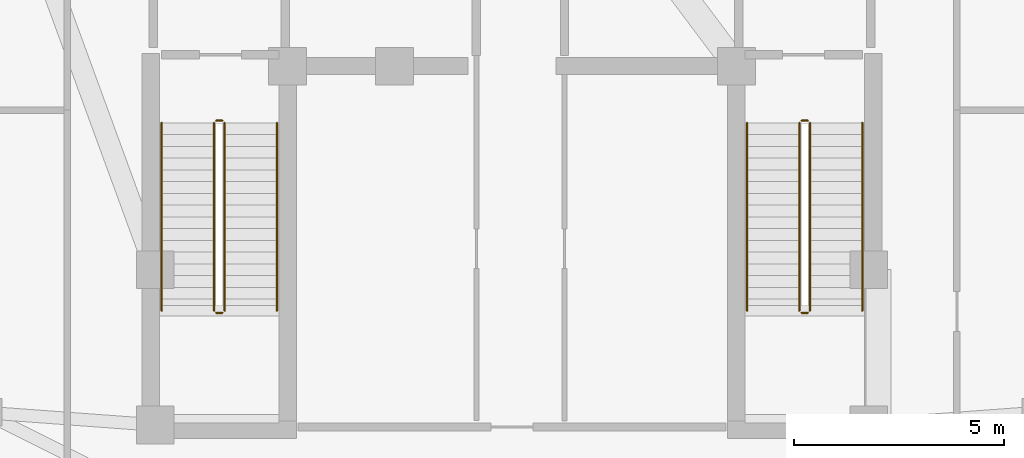
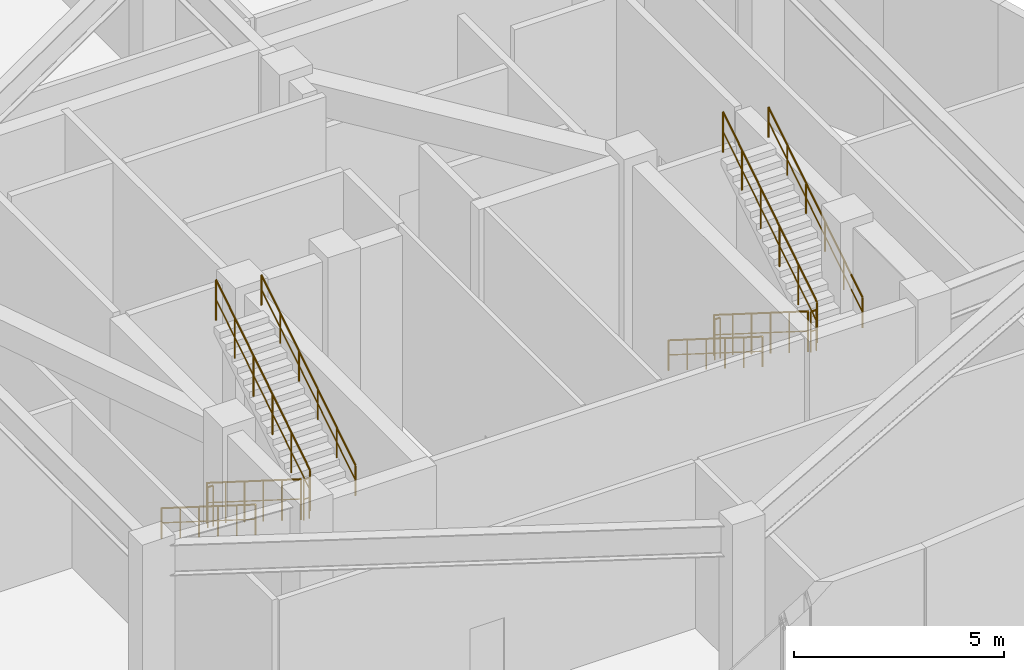
# One storey, part 10 of 10: 12 railings.
"""IFC4 building model written with IfcOpenShell, lengths in metres."""

from ifc_helpers import new_model, si_unit, direction, frame, origin, origin_2d, place, context, subcontext, project, spatial, circle, extrude, material, type_object, element, save


model = new_model("IFC4")

# Units and contexts
model_context = context("Model", 3, precision=1e-05, world=origin(), true_north=direction((0.0, 1.0)))
body_context = subcontext(model_context, "Body", "Model", "MODEL_VIEW")
ifc_project = project(units=[si_unit("LENGTHUNIT", "METRE"), si_unit("AREAUNIT", "SQUARE_METRE"), si_unit("VOLUMEUNIT", "CUBIC_METRE"), si_unit("PLANEANGLEUNIT", "RADIAN"), si_unit("MASSUNIT", "GRAM", prefix="KILO")], contexts=[model_context])

# Site, building, storey
site_placement = place(None, origin())
site = spatial("IfcSite", under=ifc_project, at=site_placement, CompositionType="ELEMENT")
building_placement = place(site_placement, origin())
building = spatial("IfcBuilding", under=site, at=building_placement, Name="Miruveldt Soraemaru", CompositionType="ELEMENT")
storey_placement = place(building_placement, frame((0.0, 0.0, 306.800048828125)))
storey = spatial("IfcBuildingStorey", under=building, at=storey_placement, Name="L81", CompositionType="ELEMENT", Elevation=306.800048828125)

# Railings
ifc_material = material(Name="Steel S355 (355 MPa)", Category="steel")
railing_type_1 = type_object("IfcRailingType", Name="RAIL-HR-900", PredefinedType="HANDRAIL", material=ifc_material)
railing_1_placement = place(storey_placement, frame((35.64990234375, 42.699951171875, 0.176513671875)))
element("IfcRailing", 1, at=railing_1_placement, inside=storey, type_object=railing_type_1, Name="L81 ST-1 stair handrail 1", PredefinedType="HANDRAIL", context=body_context, shape_type="SweptSolid", body=[
    extrude(circle(Radius=0.02392578125, at=origin_2d()), frame((0.0, 0.0, 0.8759765625), z_axis=(0.0, -0.845997938375, 0.533186166611), x_axis=(1.0, 0.0, 0.0)), (0.0, 0.0, 1.0), 5.29541015625),
    extrude(circle(Radius=0.01611328125, at=origin_2d()), frame((0.0, 0.0, 0.449951171875), z_axis=(0.0, -0.845997938375, 0.533186166611), x_axis=(1.0, 0.0, 0.0)), (0.0, 0.0, 1.0), 5.29541015625),
    extrude(circle(Radius=0.02099609375, at=origin_2d()), origin(), (0.0, 0.0, 1.0), 0.851806640625),
    extrude(circle(Radius=0.02099609375, at=origin_2d()), frame((0.0, -0.89599609375, 0.564697265625)), (0.0, 0.0, 1.0), 0.851806640625),
    extrude(circle(Radius=0.02099609375, at=origin_2d()), frame((0.0, -1.7919921875, 1.12939453125)), (0.0, 0.0, 1.0), 0.851806640625),
    extrude(circle(Radius=0.02099609375, at=origin_2d()), frame((0.0, -2.68798828125, 1.694091796875)), (0.0, 0.0, 1.0), 0.851806640625),
    extrude(circle(Radius=0.02099609375, at=origin_2d()), frame((0.0, -3.583984375, 2.2587890625)), (0.0, 0.0, 1.0), 0.851806640625),
    extrude(circle(Radius=0.02099609375, at=origin_2d()), frame((0.0, -4.47998046875, 2.823486328125)), (0.0, 0.0, 1.0), 0.851806640625),
])
railing_2_placement = place(storey_placement, frame((38.39990234375, 38.219970703125, 3.176513671875)))
element("IfcRailing", 2, at=railing_2_placement, inside=storey, type_object=railing_type_1, Name="L81 ST-1 stair handrail 2", PredefinedType="HANDRAIL", context=body_context, shape_type="SweptSolid", body=[
    extrude(circle(Radius=0.02392578125, at=origin_2d()), frame((0.0, 0.0, 0.8759765625), z_axis=(0.0, 0.845997938375, 0.533186166611), x_axis=(-1.0, 0.0, 0.0)), (0.0, 0.0, 1.0), 5.29541015625),
    extrude(circle(Radius=0.01611328125, at=origin_2d()), frame((0.0, 0.0, 0.449951171875), z_axis=(0.0, 0.845997938375, 0.533186166611), x_axis=(-1.0, 0.0, 0.0)), (0.0, 0.0, 1.0), 5.29541015625),
    extrude(circle(Radius=0.02099609375, at=origin_2d()), origin(), (0.0, 0.0, 1.0), 0.851806640625),
    extrude(circle(Radius=0.02099609375, at=origin_2d()), frame((0.0, 0.89599609375, 0.564697265625)), (0.0, 0.0, 1.0), 0.851806640625),
    extrude(circle(Radius=0.02099609375, at=origin_2d()), frame((0.0, 1.7919921875, 1.12939453125)), (0.0, 0.0, 1.0), 0.851806640625),
    extrude(circle(Radius=0.02099609375, at=origin_2d()), frame((0.0, 2.68798828125, 1.694091796875)), (0.0, 0.0, 1.0), 0.851806640625),
    extrude(circle(Radius=0.02099609375, at=origin_2d()), frame((0.0, 3.583984375, 2.2587890625)), (0.0, 0.0, 1.0), 0.851806640625),
    extrude(circle(Radius=0.02099609375, at=origin_2d()), frame((0.0, 4.47998046875, 2.823486328125)), (0.0, 0.0, 1.0), 0.851806640625),
])
railing_3_placement = place(storey_placement, frame((49.60009765625, 42.699951171875, 0.176513671875)))
element("IfcRailing", 3, at=railing_3_placement, inside=storey, type_object=railing_type_1, Name="L81 ST-2 stair handrail 1", PredefinedType="HANDRAIL", context=body_context, shape_type="SweptSolid", body=[
    extrude(circle(Radius=0.02392578125, at=origin_2d()), frame((0.0, 0.0, 0.8759765625), z_axis=(0.0, -0.845997938375, 0.533186166611), x_axis=(1.0, 0.0, 0.0)), (0.0, 0.0, 1.0), 5.29541015625),
    extrude(circle(Radius=0.01611328125, at=origin_2d()), frame((0.0, 0.0, 0.449951171875), z_axis=(0.0, -0.845997938375, 0.533186166611), x_axis=(1.0, 0.0, 0.0)), (0.0, 0.0, 1.0), 5.29541015625),
    extrude(circle(Radius=0.02099609375, at=origin_2d()), origin(), (0.0, 0.0, 1.0), 0.851806640625),
    extrude(circle(Radius=0.02099609375, at=origin_2d()), frame((0.0, -0.89599609375, 0.564697265625)), (0.0, 0.0, 1.0), 0.851806640625),
    extrude(circle(Radius=0.02099609375, at=origin_2d()), frame((0.0, -1.7919921875, 1.12939453125)), (0.0, 0.0, 1.0), 0.851806640625),
    extrude(circle(Radius=0.02099609375, at=origin_2d()), frame((0.0, -2.68798828125, 1.694091796875)), (0.0, 0.0, 1.0), 0.851806640625),
    extrude(circle(Radius=0.02099609375, at=origin_2d()), frame((0.0, -3.583984375, 2.2587890625)), (0.0, 0.0, 1.0), 0.851806640625),
    extrude(circle(Radius=0.02099609375, at=origin_2d()), frame((0.0, -4.47998046875, 2.823486328125)), (0.0, 0.0, 1.0), 0.851806640625),
])
railing_4_placement = place(storey_placement, frame((52.35009765625, 38.219970703125, 3.176513671875)))
element("IfcRailing", 4, at=railing_4_placement, inside=storey, type_object=railing_type_1, Name="L81 ST-2 stair handrail 2", PredefinedType="HANDRAIL", context=body_context, shape_type="SweptSolid", body=[
    extrude(circle(Radius=0.02392578125, at=origin_2d()), frame((0.0, 0.0, 0.8759765625), z_axis=(0.0, 0.845997938375, 0.533186166611), x_axis=(-1.0, 0.0, 0.0)), (0.0, 0.0, 1.0), 5.29541015625),
    extrude(circle(Radius=0.01611328125, at=origin_2d()), frame((0.0, 0.0, 0.449951171875), z_axis=(0.0, 0.845997938375, 0.533186166611), x_axis=(-1.0, 0.0, 0.0)), (0.0, 0.0, 1.0), 5.29541015625),
    extrude(circle(Radius=0.02099609375, at=origin_2d()), origin(), (0.0, 0.0, 1.0), 0.851806640625),
    extrude(circle(Radius=0.02099609375, at=origin_2d()), frame((0.0, 0.89599609375, 0.564697265625)), (0.0, 0.0, 1.0), 0.851806640625),
    extrude(circle(Radius=0.02099609375, at=origin_2d()), frame((0.0, 1.7919921875, 1.12939453125)), (0.0, 0.0, 1.0), 0.851806640625),
    extrude(circle(Radius=0.02099609375, at=origin_2d()), frame((0.0, 2.68798828125, 1.694091796875)), (0.0, 0.0, 1.0), 0.851806640625),
    extrude(circle(Radius=0.02099609375, at=origin_2d()), frame((0.0, 3.583984375, 2.2587890625)), (0.0, 0.0, 1.0), 0.851806640625),
    extrude(circle(Radius=0.02099609375, at=origin_2d()), frame((0.0, 4.47998046875, 2.823486328125)), (0.0, 0.0, 1.0), 0.851806640625),
])
railing_type_2 = type_object("IfcRailingType", Name="RAIL-STGUARD-1200", PredefinedType="GUARDRAIL", material=ifc_material)
railing_5_placement = place(storey_placement, frame((36.89990234375, 42.699951171875, 0.176513671875)))
element("IfcRailing", 5, at=railing_5_placement, inside=storey, type_object=railing_type_2, Name="L81 ST-1 stair guard 1", PredefinedType="GUARDRAIL", context=body_context, shape_type="SweptSolid", body=[
    extrude(circle(Radius=0.02392578125, at=origin_2d()), frame((0.0, 0.0, 1.17578125), z_axis=(0.0, -0.845997938375, 0.533186166611), x_axis=(1.0, 0.0, 0.0)), (0.0, 0.0, 1.0), 5.29541015625),
    extrude(circle(Radius=0.01611328125, at=origin_2d()), frame((0.0, 0.0, 0.60009765625), z_axis=(0.0, -0.845997938375, 0.533186166611), x_axis=(1.0, 0.0, 0.0)), (0.0, 0.0, 1.0), 5.29541015625),
    extrude(circle(Radius=0.02099609375, at=origin_2d()), origin(), (0.0, 0.0, 1.0), 1.15185546875),
    extrude(circle(Radius=0.02099609375, at=origin_2d()), frame((0.0, -0.89599609375, 0.564697265625)), (0.0, 0.0, 1.0), 1.15185546875),
    extrude(circle(Radius=0.02099609375, at=origin_2d()), frame((0.0, -1.7919921875, 1.12939453125)), (0.0, 0.0, 1.0), 1.15185546875),
    extrude(circle(Radius=0.02099609375, at=origin_2d()), frame((0.0, -2.68798828125, 1.694091796875)), (0.0, 0.0, 1.0), 1.15185546875),
    extrude(circle(Radius=0.02099609375, at=origin_2d()), frame((0.0, -3.583984375, 2.2587890625)), (0.0, 0.0, 1.0), 1.15185546875),
    extrude(circle(Radius=0.02099609375, at=origin_2d()), frame((0.0, -4.47998046875, 2.823486328125)), (0.0, 0.0, 1.0), 1.15185546875),
])
railing_6_placement = place(storey_placement, frame((36.949951171875, 38.169921875, 3.0)))
element("IfcRailing", 6, at=railing_6_placement, inside=storey, type_object=railing_type_2, Name="L81 ST-1 stair guard 2", PredefinedType="GUARDRAIL", context=body_context, shape_type="SweptSolid", body=[
    extrude(circle(Radius=0.02392578125, at=origin_2d()), frame((0.0, 0.0, 1.17578125), z_axis=(1.0, 0.0, 0.0), x_axis=(0.0, 1.0, 0.0)), (0.0, 0.0, 1.0), 0.150146484375),
    extrude(circle(Radius=0.01611328125, at=origin_2d()), frame((0.0, 0.0, 0.60009765625), z_axis=(1.0, 0.0, 0.0), x_axis=(0.0, 1.0, 0.0)), (0.0, 0.0, 1.0), 0.150146484375),
    extrude(circle(Radius=0.02099609375, at=origin_2d()), origin(), (0.0, 0.0, 1.0), 1.15185546875),
    extrude(circle(Radius=0.02099609375, at=origin_2d()), frame((0.150146484375, 0.0, 0.0)), (0.0, 0.0, 1.0), 1.15185546875),
])
railing_7_placement = place(storey_placement, frame((37.14990234375, 38.219970703125, 3.176513671875)))
element("IfcRailing", 7, at=railing_7_placement, inside=storey, type_object=railing_type_2, Name="L81 ST-1 stair guard 3", PredefinedType="GUARDRAIL", context=body_context, shape_type="SweptSolid", body=[
    extrude(circle(Radius=0.02392578125, at=origin_2d()), frame((0.0, 0.0, 1.17578125), z_axis=(0.0, 0.845997938375, 0.533186166611), x_axis=(-1.0, 0.0, 0.0)), (0.0, 0.0, 1.0), 5.29541015625),
    extrude(circle(Radius=0.01611328125, at=origin_2d()), frame((0.0, 0.0, 0.60009765625), z_axis=(0.0, 0.845997938375, 0.533186166611), x_axis=(-1.0, 0.0, 0.0)), (0.0, 0.0, 1.0), 5.29541015625),
    extrude(circle(Radius=0.02099609375, at=origin_2d()), origin(), (0.0, 0.0, 1.0), 1.15185546875),
    extrude(circle(Radius=0.02099609375, at=origin_2d()), frame((0.0, 0.89599609375, 0.564697265625)), (0.0, 0.0, 1.0), 1.15185546875),
    extrude(circle(Radius=0.02099609375, at=origin_2d()), frame((0.0, 1.7919921875, 1.12939453125)), (0.0, 0.0, 1.0), 1.15185546875),
    extrude(circle(Radius=0.02099609375, at=origin_2d()), frame((0.0, 2.68798828125, 1.694091796875)), (0.0, 0.0, 1.0), 1.15185546875),
    extrude(circle(Radius=0.02099609375, at=origin_2d()), frame((0.0, 3.583984375, 2.2587890625)), (0.0, 0.0, 1.0), 1.15185546875),
    extrude(circle(Radius=0.02099609375, at=origin_2d()), frame((0.0, 4.47998046875, 2.823486328125)), (0.0, 0.0, 1.0), 1.15185546875),
])
railing_8_placement = place(storey_placement, frame((36.949951171875, 42.75, 0.0)))
element("IfcRailing", 8, at=railing_8_placement, inside=storey, type_object=railing_type_2, Name="L81 ST-1 stair guard 4", PredefinedType="GUARDRAIL", context=body_context, shape_type="SweptSolid", body=[
    extrude(circle(Radius=0.02392578125, at=origin_2d()), frame((0.0, 0.0, 1.17578125), z_axis=(1.0, 0.0, 0.0), x_axis=(0.0, 1.0, 0.0)), (0.0, 0.0, 1.0), 0.150146484375),
    extrude(circle(Radius=0.01611328125, at=origin_2d()), frame((0.0, 0.0, 0.60009765625), z_axis=(1.0, 0.0, 0.0), x_axis=(0.0, 1.0, 0.0)), (0.0, 0.0, 1.0), 0.150146484375),
    extrude(circle(Radius=0.02099609375, at=origin_2d()), origin(), (0.0, 0.0, 1.0), 1.15185546875),
    extrude(circle(Radius=0.02099609375, at=origin_2d()), frame((0.150146484375, 0.0, 0.0)), (0.0, 0.0, 1.0), 1.15185546875),
])
railing_9_placement = place(storey_placement, frame((50.85009765625, 42.699951171875, 0.176513671875)))
element("IfcRailing", 9, at=railing_9_placement, inside=storey, type_object=railing_type_2, Name="L81 ST-2 stair guard 1", PredefinedType="GUARDRAIL", context=body_context, shape_type="SweptSolid", body=[
    extrude(circle(Radius=0.02392578125, at=origin_2d()), frame((0.0, 0.0, 1.17578125), z_axis=(0.0, -0.845997938375, 0.533186166611), x_axis=(1.0, 0.0, 0.0)), (0.0, 0.0, 1.0), 5.29541015625),
    extrude(circle(Radius=0.01611328125, at=origin_2d()), frame((0.0, 0.0, 0.60009765625), z_axis=(0.0, -0.845997938375, 0.533186166611), x_axis=(1.0, 0.0, 0.0)), (0.0, 0.0, 1.0), 5.29541015625),
    extrude(circle(Radius=0.02099609375, at=origin_2d()), origin(), (0.0, 0.0, 1.0), 1.15185546875),
    extrude(circle(Radius=0.02099609375, at=origin_2d()), frame((0.0, -0.89599609375, 0.564697265625)), (0.0, 0.0, 1.0), 1.15185546875),
    extrude(circle(Radius=0.02099609375, at=origin_2d()), frame((0.0, -1.7919921875, 1.12939453125)), (0.0, 0.0, 1.0), 1.15185546875),
    extrude(circle(Radius=0.02099609375, at=origin_2d()), frame((0.0, -2.68798828125, 1.694091796875)), (0.0, 0.0, 1.0), 1.15185546875),
    extrude(circle(Radius=0.02099609375, at=origin_2d()), frame((0.0, -3.583984375, 2.2587890625)), (0.0, 0.0, 1.0), 1.15185546875),
    extrude(circle(Radius=0.02099609375, at=origin_2d()), frame((0.0, -4.47998046875, 2.823486328125)), (0.0, 0.0, 1.0), 1.15185546875),
])
railing_10_placement = place(storey_placement, frame((50.89990234375, 38.169921875, 3.0)))
element("IfcRailing", 10, at=railing_10_placement, inside=storey, type_object=railing_type_2, Name="L81 ST-2 stair guard 2", PredefinedType="GUARDRAIL", context=body_context, shape_type="SweptSolid", body=[
    extrude(circle(Radius=0.02392578125, at=origin_2d()), frame((0.0, 0.0, 1.17578125), z_axis=(1.0, 0.0, 0.0), x_axis=(0.0, 1.0, 0.0)), (0.0, 0.0, 1.0), 0.150146484375),
    extrude(circle(Radius=0.01611328125, at=origin_2d()), frame((0.0, 0.0, 0.60009765625), z_axis=(1.0, 0.0, 0.0), x_axis=(0.0, 1.0, 0.0)), (0.0, 0.0, 1.0), 0.150146484375),
    extrude(circle(Radius=0.02099609375, at=origin_2d()), origin(), (0.0, 0.0, 1.0), 1.15185546875),
    extrude(circle(Radius=0.02099609375, at=origin_2d()), frame((0.150146484375, 0.0, 0.0)), (0.0, 0.0, 1.0), 1.15185546875),
])
railing_11_placement = place(storey_placement, frame((51.10009765625, 38.219970703125, 3.176513671875)))
element("IfcRailing", 11, at=railing_11_placement, inside=storey, type_object=railing_type_2, Name="L81 ST-2 stair guard 3", PredefinedType="GUARDRAIL", context=body_context, shape_type="SweptSolid", body=[
    extrude(circle(Radius=0.02392578125, at=origin_2d()), frame((0.0, 0.0, 1.17578125), z_axis=(0.0, 0.845997938375, 0.533186166611), x_axis=(-1.0, 0.0, 0.0)), (0.0, 0.0, 1.0), 5.29541015625),
    extrude(circle(Radius=0.01611328125, at=origin_2d()), frame((0.0, 0.0, 0.60009765625), z_axis=(0.0, 0.845997938375, 0.533186166611), x_axis=(-1.0, 0.0, 0.0)), (0.0, 0.0, 1.0), 5.29541015625),
    extrude(circle(Radius=0.02099609375, at=origin_2d()), origin(), (0.0, 0.0, 1.0), 1.15185546875),
    extrude(circle(Radius=0.02099609375, at=origin_2d()), frame((0.0, 0.89599609375, 0.564697265625)), (0.0, 0.0, 1.0), 1.15185546875),
    extrude(circle(Radius=0.02099609375, at=origin_2d()), frame((0.0, 1.7919921875, 1.12939453125)), (0.0, 0.0, 1.0), 1.15185546875),
    extrude(circle(Radius=0.02099609375, at=origin_2d()), frame((0.0, 2.68798828125, 1.694091796875)), (0.0, 0.0, 1.0), 1.15185546875),
    extrude(circle(Radius=0.02099609375, at=origin_2d()), frame((0.0, 3.583984375, 2.2587890625)), (0.0, 0.0, 1.0), 1.15185546875),
    extrude(circle(Radius=0.02099609375, at=origin_2d()), frame((0.0, 4.47998046875, 2.823486328125)), (0.0, 0.0, 1.0), 1.15185546875),
])
railing_12_placement = place(storey_placement, frame((50.89990234375, 42.75, 0.0)))
element("IfcRailing", 12, at=railing_12_placement, inside=storey, type_object=railing_type_2, Name="L81 ST-2 stair guard 4", PredefinedType="GUARDRAIL", context=body_context, shape_type="SweptSolid", body=[
    extrude(circle(Radius=0.02392578125, at=origin_2d()), frame((0.0, 0.0, 1.17578125), z_axis=(1.0, 0.0, 0.0), x_axis=(0.0, 1.0, 0.0)), (0.0, 0.0, 1.0), 0.150146484375),
    extrude(circle(Radius=0.01611328125, at=origin_2d()), frame((0.0, 0.0, 0.60009765625), z_axis=(1.0, 0.0, 0.0), x_axis=(0.0, 1.0, 0.0)), (0.0, 0.0, 1.0), 0.150146484375),
    extrude(circle(Radius=0.02099609375, at=origin_2d()), origin(), (0.0, 0.0, 1.0), 1.15185546875),
    extrude(circle(Radius=0.02099609375, at=origin_2d()), frame((0.150146484375, 0.0, 0.0)), (0.0, 0.0, 1.0), 1.15185546875),
])

save(model, "model.ifc")
